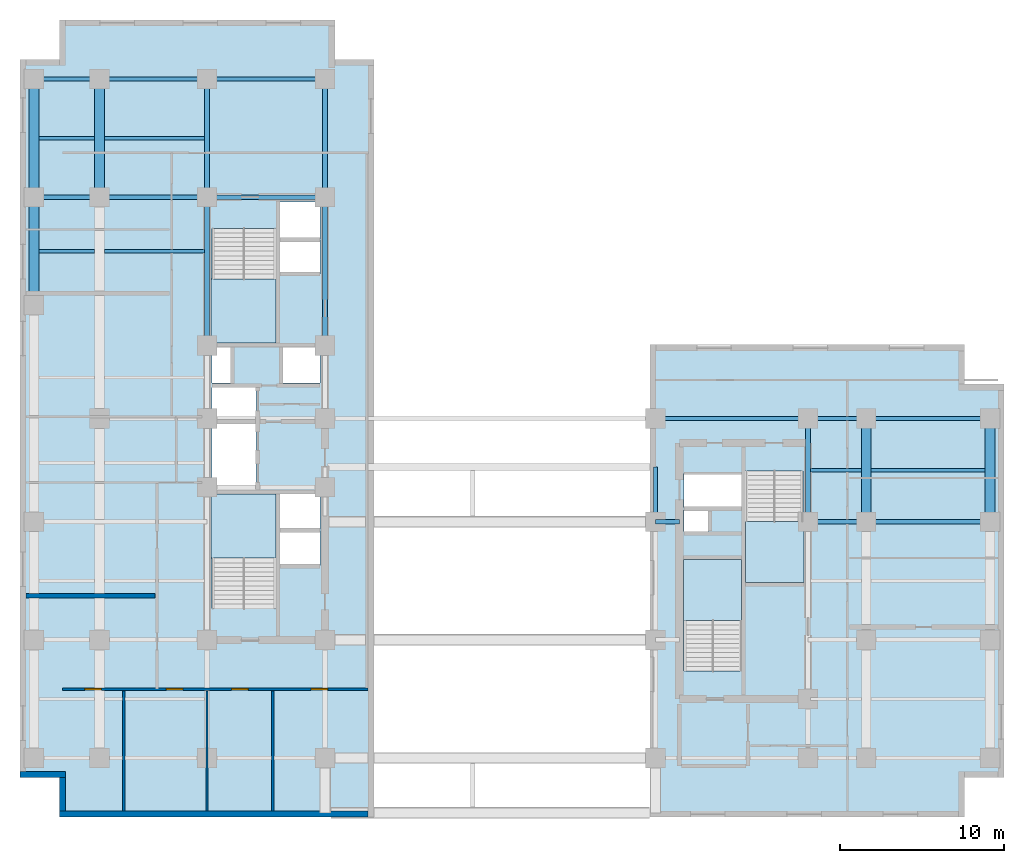
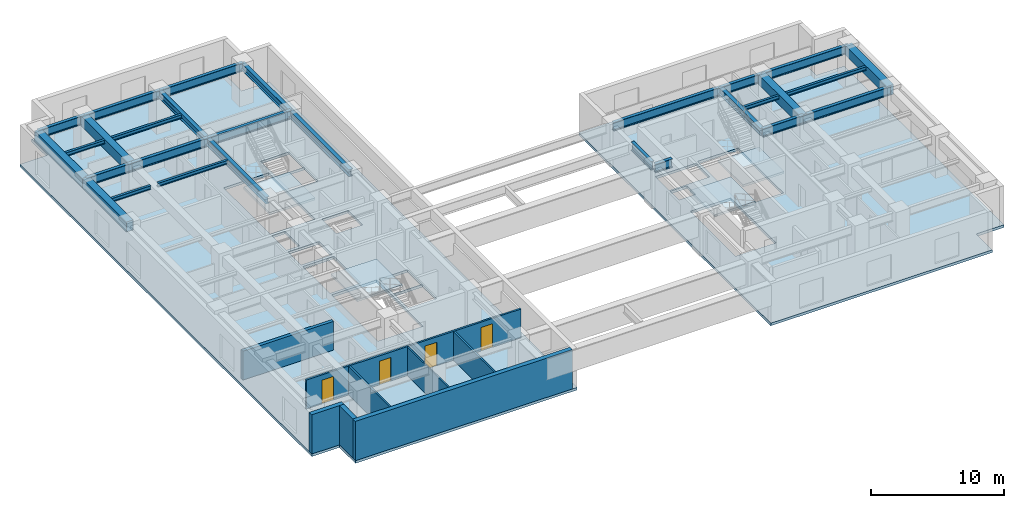
# One storey, part 2 of 9: 29 beams, 8 walls, 6 slabs, 4 doors, 4 openings, 4 elements without a shape of their own.
"""IFC4 building model written with IfcOpenShell, lengths in metres."""

import ifcopenshell
import ifcopenshell.guid

model = None  # the IFC model being written
_history = None  # IfcOwnerHistory: only IFC2X3 demands one
_inside = {}  # id of a spatial element -> (the spatial element, [elements in it])
_under = {}  # id of a project, library or spatial element -> (it, [spatial elements below it])
_declared = {}  # id of a project -> (the project, [libraries it declares])
_typed = {}  # id of a type object -> (the type object, [elements of that type])
_made_of = {}  # id of a material, layer set ... -> (it, [elements and type objects made of it])


def new_model(schema):
    """Start an empty IFC model of exactly this schema.

    Asked for "IFC4X3", IfcOpenShell would pick the latest addendum, in which some entities
    have other attributes; the version numbers below select the first issue.
    IFC2X3 requires an IfcOwnerHistory on every rooted entity: one is made here for all.
    """
    global model, _history
    if schema == "IFC4X3":
        model = ifcopenshell.file(schema_version=(4, 3, 0, 0))
    else:
        model = ifcopenshell.file(schema=schema)
    _inside.clear()
    _under.clear()
    _declared.clear()
    _typed.clear()
    _made_of.clear()
    _history = None
    if model.schema == "IFC2X3":
        org = make("IfcOrganization", Name="unknown")
        user = make(
            "IfcPersonAndOrganization",
            ThePerson=make("IfcPerson", FamilyName="unknown"),
            TheOrganization=org,
        )
        app = make(
            "IfcApplication",
            ApplicationDeveloper=org,
            Version="unknown",
            ApplicationFullName="unknown",
            ApplicationIdentifier="unknown",
        )
        _history = make(
            "IfcOwnerHistory",
            OwningUser=user,
            OwningApplication=app,
            ChangeAction="ADDED",
            CreationDate=0,
        )
    return model


def make(cls, **values):
    """One entity of the class cls with the attributes given. An attribute that is None is left unset."""
    return model.create_entity(
        cls, **{name: value for name, value in values.items() if value is not None}
    )


def entity(cls, *values):
    """Any entity or typed value of the class cls, its attributes in the order of the schema. None: left unset."""
    e = model.create_entity(cls)
    for i, value in enumerate(values):
        if value is not None:
            e[i] = value
    return e


def rooted(cls, **values):
    """An entity with a GlobalId (a new one), such as an element, a storey or a relation."""
    return make(cls, GlobalId=ifcopenshell.guid.new(), OwnerHistory=_history, **values)


def si_unit(unit_type, name, prefix=None):
    """IfcSIUnit, for example si_unit("LENGTHUNIT", "METRE", prefix="MILLI")."""
    return make("IfcSIUnit", UnitType=unit_type, Prefix=prefix, Name=name)


def converted_unit(unit_type, name, factor, base, dimensions=None, offset=None):
    """IfcConversionBasedUnit, such as the inch: factor (a typed value) times the base unit."""
    return make(
        "IfcConversionBasedUnit"
        if offset is None
        else "IfcConversionBasedUnitWithOffset",
        ConversionOffset=offset,
        Dimensions=None
        if dimensions is None
        else entity("IfcDimensionalExponents", *dimensions),
        UnitType=unit_type,
        Name=name,
        ConversionFactor=make(
            "IfcMeasureWithUnit", ValueComponent=factor, UnitComponent=base
        ),
    )


def assignment(units):
    """IfcUnitAssignment: the units of a project."""
    return None if units is None else make("IfcUnitAssignment", Units=units)


def point(xyz):
    """IfcCartesianPoint."""
    return None if xyz is None else make("IfcCartesianPoint", Coordinates=xyz)


def direction(xyz):
    """IfcDirection."""
    return None if xyz is None else make("IfcDirection", DirectionRatios=xyz)


def frame(location, z_axis=None, x_axis=None):
    """IfcAxis2Placement3D, a coordinate frame: its origin and axes. An axis left out is left unset."""
    return make(
        "IfcAxis2Placement3D",
        Location=point(location),
        Axis=direction(z_axis),
        RefDirection=direction(x_axis),
    )


def frame_2d(location, x_axis=None):
    """IfcAxis2Placement2D, a coordinate frame in the plane: its origin and x axis."""
    return make(
        "IfcAxis2Placement2D", Location=point(location), RefDirection=direction(x_axis)
    )


def origin_with_axes():
    """The frame at (0, 0, 0) with the z axis (0, 0, 1) and the x axis (1, 0, 0) written out."""
    return frame((0.0, 0.0, 0.0), z_axis=(0.0, 0.0, 1.0), x_axis=(1.0, 0.0, 0.0))


def origin_2d_with_axis():
    """The frame at (0, 0) in the plane with the x axis (1, 0) written out."""
    return frame_2d((0.0, 0.0), x_axis=(1.0, 0.0))


def place(relative_to, where):
    """IfcLocalPlacement: puts the frame where relative to a parent placement (None: the world)."""
    return make(
        "IfcLocalPlacement", PlacementRelTo=relative_to, RelativePlacement=where
    )


def context(
    kind, dimensions, precision=None, world=None, true_north=None, identifier=None
):
    """IfcGeometricRepresentationContext, for example the 3D "Model" context."""
    return make(
        "IfcGeometricRepresentationContext",
        ContextIdentifier=identifier,
        ContextType=kind,
        CoordinateSpaceDimension=dimensions,
        Precision=precision,
        WorldCoordinateSystem=world,
        TrueNorth=true_north,
    )


def subcontext(parent, identifier, kind, view, scale=None):
    """IfcGeometricRepresentationSubContext, for example "Body" below "Model"."""
    return make(
        "IfcGeometricRepresentationSubContext",
        ContextIdentifier=identifier,
        ContextType=kind,
        ParentContext=parent,
        TargetScale=scale,
        TargetView=view,
    )


def project(units=None, contexts=None):
    """IfcProject with its units and contexts."""
    return rooted(
        "IfcProject",
        Name="project",
        RepresentationContexts=contexts,
        UnitsInContext=assignment(units),
    )


def spatial(cls, under=None, at=None, **own):
    """A site, building, storey or space (cls), placed at a placement, below another one or the project."""
    s = rooted(cls, ObjectPlacement=at, **own)
    if under is not None:
        _under.setdefault(under.id(), (under, []))[1].append(s)
    return s


def polyline(points):
    """IfcPolyline through the points."""
    return make("IfcPolyline", Points=[point(p) for p in points])


def profile(cls, at=None, kind="AREA", **sizes):
    """A parametric profile (cls). Its sizes go by their IFC names, for example OverallWidth=200.0."""
    return make(cls, ProfileType=kind, Position=at, **sizes)


def rectangle(**sizes):
    """IfcRectangleProfileDef."""
    return profile("IfcRectangleProfileDef", **sizes)


def i_section(**sizes):
    """IfcIShapeProfileDef."""
    return profile("IfcIShapeProfileDef", **sizes)


def outline(outer, holes=None, kind="AREA"):
    """IfcArbitraryClosedProfileDef: a profile drawn as a closed curve; with holes, ...WithVoids."""
    if holes is None:
        return make("IfcArbitraryClosedProfileDef", ProfileType=kind, OuterCurve=outer)
    return make(
        "IfcArbitraryProfileDefWithVoids",
        ProfileType=kind,
        OuterCurve=outer,
        InnerCurves=holes,
    )


def extrude(swept, where, along, depth):
    """IfcExtrudedAreaSolid: the profile swept, set in the frame where, extruded along a direction by depth."""
    return make(
        "IfcExtrudedAreaSolid",
        SweptArea=swept,
        Position=where,
        ExtrudedDirection=direction(along),
        Depth=depth,
    )


def shape(context_of_items, identifier, shape_type, items):
    """IfcShapeRepresentation: the items that make up one representation, for example the "Body"."""
    return make(
        "IfcShapeRepresentation",
        ContextOfItems=context_of_items,
        RepresentationIdentifier=identifier,
        RepresentationType=shape_type,
        Items=items,
    )


def material(Name=None, Category=None):
    """IfcMaterial."""
    return make("IfcMaterial", Name=Name, Category=Category)


def layer(
    of_material, thickness, ventilated=None, Name=None, Category=None, Priority=None
):
    """IfcMaterialLayer: one layer of a wall or slab, of a material (None: an air gap)."""
    return make(
        "IfcMaterialLayer",
        Material=of_material,
        LayerThickness=thickness,
        IsVentilated=ventilated,
        Name=Name,
        Category=Category,
        Priority=Priority,
    )


def layer_set(layers, Name=None):
    """IfcMaterialLayerSet."""
    return make("IfcMaterialLayerSet", MaterialLayers=layers, LayerSetName=Name)


def material_profile(
    of_material, cross_section, Name=None, Category=None, Priority=None
):
    """IfcMaterialProfile: a cross section and its material."""
    return make(
        "IfcMaterialProfile",
        Name=Name,
        Material=of_material,
        Profile=cross_section,
        Priority=Priority,
        Category=Category,
    )


def profile_set(profiles, Name=None, composite=None):
    """IfcMaterialProfileSet."""
    return make(
        "IfcMaterialProfileSet",
        Name=Name,
        MaterialProfiles=profiles,
        CompositeProfile=composite,
    )


def made_of(thing, what):
    """Note that an element or type object is made of a material, layer set ...; save() writes the relation."""
    if what is not None:
        _made_of.setdefault(what.id(), (what, []))[1].append(thing)
    return thing


def type_object(cls, material=None, **own):
    """A type object (cls), such as IfcWallType, which elements share."""
    return made_of(rooted(cls, **own), material)


def element(
    cls,
    number,
    at=None,
    inside=None,
    cuts=None,
    type_object=None,
    material=None,
    context=None,
    identifier="Body",
    shape_type=None,
    held_by="IfcProductDefinitionShape",
    body=None,
    shapes=None,
    **own,
):
    """One element of the class cls, such as IfcWall. Its Tag is "e" and its number.

    at: its placement. inside: the storey or other place that contains it. cuts: it is an
    opening in that element (IfcRelVoidsElement). A single representation is given by context,
    identifier, shape_type and body (its items); several are given by shapes. held_by: the class
    of the entity that holds the representations. save() writes the other relations.
    """
    e = rooted(cls, Tag="e%d" % number, ObjectPlacement=at, **own)
    if body is not None:
        shapes = [shape(context, identifier, shape_type, body)]
    if shapes is not None:
        e.Representation = make(held_by, Representations=shapes)
    if inside is not None:
        _inside.setdefault(inside.id(), (inside, []))[1].append(e)
    if cuts is not None:
        rooted(
            "IfcRelVoidsElement", RelatingBuildingElement=cuts, RelatedOpeningElement=e
        )
    if type_object is not None:
        _typed.setdefault(type_object.id(), (type_object, []))[1].append(e)
    return made_of(e, material)


def fill(opening, filler):
    """IfcRelFillsElement: the door or window that sits in an opening."""
    return rooted(
        "IfcRelFillsElement",
        RelatingOpeningElement=opening,
        RelatedBuildingElement=filler,
    )


def aggregate(whole, parts):
    """IfcRelAggregates: a whole, such as a stair, and the parts it consists of."""
    return rooted("IfcRelAggregates", RelatingObject=whole, RelatedObjects=parts)


def save(model, path):
    """Write the relations noted so far, then the file.

    IfcRelAggregates (storeys below a building ...), IfcRelContainedInSpatialStructure (elements
    in a storey), IfcRelDefinesByType, IfcRelAssociatesMaterial and IfcRelDeclares: one each for
    every whole, place, type object, material and project.
    """
    for whole, parts in _under.values():
        aggregate(whole, parts)
    for where, things in _inside.values():
        rooted(
            "IfcRelContainedInSpatialStructure",
            RelatedElements=things,
            RelatingStructure=where,
        )
    for kind, things in _typed.values():
        rooted("IfcRelDefinesByType", RelatedObjects=things, RelatingType=kind)
    for what, things in _made_of.values():
        rooted("IfcRelAssociatesMaterial", RelatedObjects=things, RelatingMaterial=what)
    for by, libraries in _declared.values():
        rooted("IfcRelDeclares", RelatingContext=by, RelatedDefinitions=libraries)
    model.write(path)


model = new_model("IFC4")

# Units and contexts
model_context = context("Model", 3, precision=1e-05, world=origin_with_axes(), true_north=direction((0.0, 1.0)))
body_context = subcontext(model_context, "Body", "Model", "MODEL_VIEW")
ifc_project = project(units=[si_unit("LENGTHUNIT", "METRE"), si_unit("AREAUNIT", "SQUARE_METRE"), si_unit("VOLUMEUNIT", "CUBIC_METRE"), converted_unit("PLANEANGLEUNIT", "DEGREE", entity("IfcPlaneAngleMeasure", 0.017453292519943295), si_unit("PLANEANGLEUNIT", "RADIAN"), dimensions=[0, 0, 0, 0, 0, 0, 0]), si_unit("MASSUNIT", "GRAM", prefix="KILO"), si_unit("THERMODYNAMICTEMPERATUREUNIT", "KELVIN")], contexts=[model_context])

# Site, building, storey
site_placement = place(None, origin_with_axes())
site = spatial("IfcSite", under=ifc_project, at=site_placement, CompositionType="ELEMENT")
building_placement = place(site_placement, origin_with_axes())
building = spatial("IfcBuilding", under=site, at=building_placement, Name="Varnlund Millrace Tower", CompositionType="ELEMENT")
storey_placement = place(building_placement, frame((0.0, 0.0, 120.3), z_axis=(0.0, 0.0, 1.0), x_axis=(1.0, 0.0, 0.0)))
storey = spatial("IfcBuildingStorey", under=building, at=storey_placement, Name="L29", CompositionType="ELEMENT", Elevation=120.3)

# Beams
ifc_material_1 = material(Name="Steel ASTM A992 Grade 50", Category="steel")
ifc_material_profile_1 = material_profile(ifc_material_1, i_section(OverallWidth=0.328, OverallDepth=0.628, WebThickness=0.0165, FlangeThickness=0.0277, FilletRadius=0.018, at=origin_2d_with_axis()), Name="Steel ASTM A992 Grade 50")
ifc_profile_set_1 = profile_set([ifc_material_profile_1], Name="Steel ASTM A992 Grade 50")
beam_type_1 = type_object("IfcBeamType", Name="Type-Girder-W24X146", PredefinedType="USERDEFINED", material=ifc_profile_set_1)
beam_1_placement = place(storey_placement, frame((11.4, 28.75, 3.286), z_axis=(0.0, 1.0, 0.0), x_axis=(-1.0, 0.0, 0.0)))
element("IfcBeam", 1, at=beam_1_placement, inside=storey, type_object=beam_type_1, Name="Type-Girder-W24X146", ObjectType="GIRDER", PredefinedType="USERDEFINED", context=body_context, shape_type="SweptSolid", body=[
    extrude(i_section(OverallWidth=0.328, OverallDepth=0.628, WebThickness=0.0165, FlangeThickness=0.0277, FilletRadius=0.018, at=origin_2d_with_axis()), origin_with_axes(), (0.0, 0.0, 1.0), 9.05),
])
beam_2_placement = place(storey_placement, frame((11.4, 37.8, 3.286), z_axis=(0.0, 1.0, 0.0), x_axis=(-1.0, 0.0, 0.0)))
element("IfcBeam", 2, at=beam_2_placement, inside=storey, type_object=beam_type_1, Name="Type-Girder-W24X146", ObjectType="GIRDER", PredefinedType="USERDEFINED", context=body_context, shape_type="SweptSolid", body=[
    extrude(i_section(OverallWidth=0.328, OverallDepth=0.628, WebThickness=0.0165, FlangeThickness=0.0277, FilletRadius=0.018, at=origin_2d_with_axis()), origin_with_axes(), (0.0, 0.0, 1.0), 7.2),
])
beam_3_placement = place(storey_placement, frame((18.6, 28.75, 3.286), z_axis=(0.0, 1.0, 0.0), x_axis=(-1.0, 0.0, 0.0)))
element("IfcBeam", 3, at=beam_3_placement, inside=storey, type_object=beam_type_1, Name="Type-Girder-W24X146", ObjectType="GIRDER", PredefinedType="USERDEFINED", context=body_context, shape_type="SweptSolid", body=[
    extrude(i_section(OverallWidth=0.328, OverallDepth=0.628, WebThickness=0.0165, FlangeThickness=0.0277, FilletRadius=0.018, at=origin_2d_with_axis()), origin_with_axes(), (0.0, 0.0, 1.0), 9.05),
])
beam_4_placement = place(storey_placement, frame((18.6, 37.8, 3.286), z_axis=(0.0, 1.0, 0.0), x_axis=(-1.0, 0.0, 0.0)))
element("IfcBeam", 4, at=beam_4_placement, inside=storey, type_object=beam_type_1, Name="Type-Girder-W24X146", ObjectType="GIRDER", PredefinedType="USERDEFINED", context=body_context, shape_type="SweptSolid", body=[
    extrude(i_section(OverallWidth=0.328, OverallDepth=0.628, WebThickness=0.0165, FlangeThickness=0.0277, FilletRadius=0.018, at=origin_2d_with_axis()), origin_with_axes(), (0.0, 0.0, 1.0), 7.2),
])
beam_5_placement = place(storey_placement, frame((48.05, 18.0, 3.286), z_axis=(0.0, 1.0, 0.0), x_axis=(-1.0, 0.0, 0.0)))
element("IfcBeam", 5, at=beam_5_placement, inside=storey, type_object=beam_type_1, Name="Type-Girder-W24X146", ObjectType="GIRDER", PredefinedType="USERDEFINED", context=body_context, shape_type="SweptSolid", body=[
    extrude(i_section(OverallWidth=0.328, OverallDepth=0.628, WebThickness=0.0165, FlangeThickness=0.0277, FilletRadius=0.018, at=origin_2d_with_axis()), origin_with_axes(), (0.0, 0.0, 1.0), 6.3),
])
ifc_material_profile_2 = material_profile(ifc_material_1, i_section(OverallWidth=0.266, OverallDepth=0.779, WebThickness=0.0165, FlangeThickness=0.03, FilletRadius=0.02, at=origin_2d_with_axis()), Name="Steel ASTM A992 Grade 50")
ifc_profile_set_2 = profile_set([ifc_material_profile_2], Name="Steel ASTM A992 Grade 50")
beam_type_2 = type_object("IfcBeamType", Name="Type-Girder-W30X148", PredefinedType="USERDEFINED", material=ifc_profile_set_2)
beam_6_placement = place(storey_placement, frame((38.75, 18.35, 3.2105), z_axis=(0.0, 1.0, 0.0), x_axis=(-1.0, 0.0, 0.0)))
element("IfcBeam", 6, at=beam_6_placement, inside=storey, type_object=beam_type_2, Name="Type-Girder-W30X148", ObjectType="GIRDER", PredefinedType="USERDEFINED", context=body_context, shape_type="SweptSolid", body=[
    extrude(i_section(OverallWidth=0.266, OverallDepth=0.779, WebThickness=0.0165, FlangeThickness=0.03, FilletRadius=0.02, at=origin_2d_with_axis()), origin_with_axes(), (0.0, 0.0, 1.0), 3.0),
])
beam_7_placement = place(storey_placement, frame((38.75, 18.0, 3.2105), z_axis=(1.0, 0.0, 0.0), x_axis=(0.0, 1.0, 0.0)))
element("IfcBeam", 7, at=beam_7_placement, inside=storey, type_object=beam_type_2, Name="Type-Girder-W30X148", ObjectType="GIRDER", PredefinedType="USERDEFINED", context=body_context, shape_type="SweptSolid", body=[
    extrude(i_section(OverallWidth=0.266, OverallDepth=0.779, WebThickness=0.0165, FlangeThickness=0.03, FilletRadius=0.02, at=origin_2d_with_axis()), origin_with_axes(), (0.0, 0.0, 1.0), 1.45),
])
beam_8_placement = place(storey_placement, frame((48.05, 18.0, 3.2105), z_axis=(1.0, 0.0, 0.0), x_axis=(0.0, 1.0, 0.0)))
element("IfcBeam", 8, at=beam_8_placement, inside=storey, type_object=beam_type_2, Name="Type-Girder-W30X148", ObjectType="GIRDER", PredefinedType="USERDEFINED", context=body_context, shape_type="SweptSolid", body=[
    extrude(i_section(OverallWidth=0.266, OverallDepth=0.779, WebThickness=0.0165, FlangeThickness=0.03, FilletRadius=0.02, at=origin_2d_with_axis()), origin_with_axes(), (0.0, 0.0, 1.0), 3.55),
])
beam_9_placement = place(storey_placement, frame((51.6, 18.0, 3.2105), z_axis=(1.0, 0.0, 0.0), x_axis=(0.0, 1.0, 0.0)))
element("IfcBeam", 9, at=beam_9_placement, inside=storey, type_object=beam_type_2, Name="Type-Girder-W30X148", ObjectType="GIRDER", PredefinedType="USERDEFINED", context=body_context, shape_type="SweptSolid", body=[
    extrude(i_section(OverallWidth=0.266, OverallDepth=0.779, WebThickness=0.0165, FlangeThickness=0.03, FilletRadius=0.02, at=origin_2d_with_axis()), origin_with_axes(), (0.0, 0.0, 1.0), 7.55),
])
beam_10_placement = place(storey_placement, frame((38.75, 24.3, 3.2105), z_axis=(1.0, 0.0, 0.0), x_axis=(0.0, 1.0, 0.0)))
element("IfcBeam", 10, at=beam_10_placement, inside=storey, type_object=beam_type_2, Name="Type-Girder-W30X148", ObjectType="GIRDER", PredefinedType="USERDEFINED", context=body_context, shape_type="SweptSolid", body=[
    extrude(i_section(OverallWidth=0.266, OverallDepth=0.779, WebThickness=0.0165, FlangeThickness=0.03, FilletRadius=0.02, at=origin_2d_with_axis()), origin_with_axes(), (0.0, 0.0, 1.0), 9.3),
])
beam_11_placement = place(storey_placement, frame((48.05, 24.3, 3.2105), z_axis=(1.0, 0.0, 0.0), x_axis=(0.0, 1.0, 0.0)))
element("IfcBeam", 11, at=beam_11_placement, inside=storey, type_object=beam_type_2, Name="Type-Girder-W30X148", ObjectType="GIRDER", PredefinedType="USERDEFINED", context=body_context, shape_type="SweptSolid", body=[
    extrude(i_section(OverallWidth=0.266, OverallDepth=0.779, WebThickness=0.0165, FlangeThickness=0.03, FilletRadius=0.02, at=origin_2d_with_axis()), origin_with_axes(), (0.0, 0.0, 1.0), 3.55),
])
beam_12_placement = place(storey_placement, frame((51.6, 24.3, 3.2105), z_axis=(1.0, 0.0, 0.0), x_axis=(0.0, 1.0, 0.0)))
element("IfcBeam", 12, at=beam_12_placement, inside=storey, type_object=beam_type_2, Name="Type-Girder-W30X148", ObjectType="GIRDER", PredefinedType="USERDEFINED", context=body_context, shape_type="SweptSolid", body=[
    extrude(i_section(OverallWidth=0.266, OverallDepth=0.779, WebThickness=0.0165, FlangeThickness=0.03, FilletRadius=0.02, at=origin_2d_with_axis()), origin_with_axes(), (0.0, 0.0, 1.0), 7.55),
])
beam_13_placement = place(storey_placement, frame((0.85, 37.8, 3.2105), z_axis=(1.0, 0.0, 0.0), x_axis=(0.0, 1.0, 0.0)))
element("IfcBeam", 13, at=beam_13_placement, inside=storey, type_object=beam_type_2, Name="Type-Girder-W30X148", ObjectType="GIRDER", PredefinedType="USERDEFINED", context=body_context, shape_type="SweptSolid", body=[
    extrude(i_section(OverallWidth=0.266, OverallDepth=0.779, WebThickness=0.0165, FlangeThickness=0.03, FilletRadius=0.02, at=origin_2d_with_axis()), origin_with_axes(), (0.0, 0.0, 1.0), 4.0),
])
beam_14_placement = place(storey_placement, frame((4.85, 37.8, 3.2105), z_axis=(1.0, 0.0, 0.0), x_axis=(0.0, 1.0, 0.0)))
element("IfcBeam", 14, at=beam_14_placement, inside=storey, type_object=beam_type_2, Name="Type-Girder-W30X148", ObjectType="GIRDER", PredefinedType="USERDEFINED", context=body_context, shape_type="SweptSolid", body=[
    extrude(i_section(OverallWidth=0.266, OverallDepth=0.779, WebThickness=0.0165, FlangeThickness=0.03, FilletRadius=0.02, at=origin_2d_with_axis()), origin_with_axes(), (0.0, 0.0, 1.0), 6.55),
])
beam_15_placement = place(storey_placement, frame((11.4, 37.8, 3.2105), z_axis=(1.0, 0.0, 0.0), x_axis=(0.0, 1.0, 0.0)))
element("IfcBeam", 15, at=beam_15_placement, inside=storey, type_object=beam_type_2, Name="Type-Girder-W30X148", ObjectType="GIRDER", PredefinedType="USERDEFINED", context=body_context, shape_type="SweptSolid", body=[
    extrude(i_section(OverallWidth=0.266, OverallDepth=0.779, WebThickness=0.0165, FlangeThickness=0.03, FilletRadius=0.02, at=origin_2d_with_axis()), origin_with_axes(), (0.0, 0.0, 1.0), 7.2),
])
beam_16_placement = place(storey_placement, frame((0.85, 45.0, 3.2105), z_axis=(1.0, 0.0, 0.0), x_axis=(0.0, 1.0, 0.0)))
element("IfcBeam", 16, at=beam_16_placement, inside=storey, type_object=beam_type_2, Name="Type-Girder-W30X148", ObjectType="GIRDER", PredefinedType="USERDEFINED", context=body_context, shape_type="SweptSolid", body=[
    extrude(i_section(OverallWidth=0.266, OverallDepth=0.779, WebThickness=0.0165, FlangeThickness=0.03, FilletRadius=0.02, at=origin_2d_with_axis()), origin_with_axes(), (0.0, 0.0, 1.0), 4.0),
])
beam_17_placement = place(storey_placement, frame((4.85, 45.0, 3.2105), z_axis=(1.0, 0.0, 0.0), x_axis=(0.0, 1.0, 0.0)))
element("IfcBeam", 17, at=beam_17_placement, inside=storey, type_object=beam_type_2, Name="Type-Girder-W30X148", ObjectType="GIRDER", PredefinedType="USERDEFINED", context=body_context, shape_type="SweptSolid", body=[
    extrude(i_section(OverallWidth=0.266, OverallDepth=0.779, WebThickness=0.0165, FlangeThickness=0.03, FilletRadius=0.02, at=origin_2d_with_axis()), origin_with_axes(), (0.0, 0.0, 1.0), 6.55),
])
beam_18_placement = place(storey_placement, frame((11.4, 45.0, 3.2105), z_axis=(1.0, 0.0, 0.0), x_axis=(0.0, 1.0, 0.0)))
element("IfcBeam", 18, at=beam_18_placement, inside=storey, type_object=beam_type_2, Name="Type-Girder-W30X148", ObjectType="GIRDER", PredefinedType="USERDEFINED", context=body_context, shape_type="SweptSolid", body=[
    extrude(i_section(OverallWidth=0.266, OverallDepth=0.779, WebThickness=0.0165, FlangeThickness=0.03, FilletRadius=0.02, at=origin_2d_with_axis()), origin_with_axes(), (0.0, 0.0, 1.0), 7.2),
])
ifc_material_profile_3 = material_profile(ifc_material_1, i_section(OverallWidth=0.204, OverallDepth=0.35, WebThickness=0.0086, FlangeThickness=0.0151, FilletRadius=0.013, at=origin_2d_with_axis()), Name="Steel ASTM A992 Grade 50")
ifc_profile_set_3 = profile_set([ifc_material_profile_3], Name="Steel ASTM A992 Grade 50")
beam_type_3 = type_object("IfcBeamType", Name="Type-Joist-W14X48", PredefinedType="JOIST", material=ifc_profile_set_3)
for number, where, z_axis, x_axis, name in (
    (19, (1.15, 34.5, 3.425), (1.0, 0.0, 0.0), (0.0, 1.0, 0.0), "Type-Joist-W14X48"),
    (20, (1.15, 41.4, 3.425), (1.0, 0.0, 0.0), (0.0, 1.0, 0.0), "Type-Joist-W14X48"),
):
    element("IfcBeam", number, at=place(storey_placement, frame(where, z_axis=z_axis, x_axis=x_axis)), inside=storey, type_object=beam_type_3, Name=name, PredefinedType="JOIST", context=body_context, shape_type="SweptSolid", body=[
        extrude(i_section(OverallWidth=0.204, OverallDepth=0.35, WebThickness=0.0086, FlangeThickness=0.0151, FilletRadius=0.013, at=origin_2d_with_axis()), origin_with_axes(), (0.0, 0.0, 1.0), 3.4),
    ])
for number, where, z_axis, x_axis, name in (
    (21, (5.15, 34.5, 3.425), (1.0, 0.0, 0.0), (0.0, 1.0, 0.0), "Type-Joist-W14X48"),
    (22, (5.15, 41.4, 3.425), (1.0, 0.0, 0.0), (0.0, 1.0, 0.0), "Type-Joist-W14X48"),
):
    element("IfcBeam", number, at=place(storey_placement, frame(where, z_axis=z_axis, x_axis=x_axis)), inside=storey, type_object=beam_type_3, Name=name, PredefinedType="JOIST", context=body_context, shape_type="SweptSolid", body=[
        extrude(i_section(OverallWidth=0.204, OverallDepth=0.35, WebThickness=0.0086, FlangeThickness=0.0151, FilletRadius=0.013, at=origin_2d_with_axis()), origin_with_axes(), (0.0, 0.0, 1.0), 6.086),
    ])
beam_19_placement = place(storey_placement, frame((48.214, 21.15, 3.425), z_axis=(1.0, 0.0, 0.0), x_axis=(0.0, 1.0, 0.0)))
element("IfcBeam", 23, at=beam_19_placement, inside=storey, type_object=beam_type_3, Name="Type-Joist-W14X48", PredefinedType="JOIST", context=body_context, shape_type="SweptSolid", body=[
    extrude(i_section(OverallWidth=0.204, OverallDepth=0.35, WebThickness=0.0086, FlangeThickness=0.0151, FilletRadius=0.013, at=origin_2d_with_axis()), origin_with_axes(), (0.0, 0.0, 1.0), 3.086),
])
beam_20_placement = place(storey_placement, frame((51.9, 21.15, 3.425), z_axis=(1.0, 0.0, 0.0), x_axis=(0.0, 1.0, 0.0)))
element("IfcBeam", 24, at=beam_20_placement, inside=storey, type_object=beam_type_3, Name="Type-Joist-W14X48", PredefinedType="JOIST", context=body_context, shape_type="SweptSolid", body=[
    extrude(i_section(OverallWidth=0.204, OverallDepth=0.35, WebThickness=0.0086, FlangeThickness=0.0151, FilletRadius=0.013, at=origin_2d_with_axis()), origin_with_axes(), (0.0, 0.0, 1.0), 6.95),
])
ifc_material_2 = material(Name="Concrete C70/85", Category="concrete")
ifc_material_profile_4 = material_profile(ifc_material_2, rectangle(XDim=0.6, YDim=0.9, at=origin_2d_with_axis()), Name="Concrete C70/85")
ifc_profile_set_4 = profile_set([ifc_material_profile_4], Name="Concrete C70/85")
beam_type_4 = type_object("IfcBeamType", Name="Type-Spandrel-RC600X900", PredefinedType="SPANDREL", material=ifc_profile_set_4)
beam_21_placement = place(storey_placement, frame((0.85, 31.2, 3.15), z_axis=(0.0, 1.0, 0.0), x_axis=(-1.0, 0.0, 0.0)))
element("IfcBeam", 25, at=beam_21_placement, inside=storey, type_object=beam_type_4, Name="Type-Spandrel-RC600X900", PredefinedType="SPANDREL", context=body_context, shape_type="SweptSolid", body=[
    extrude(rectangle(XDim=0.6, YDim=0.9, at=origin_2d_with_axis()), origin_with_axes(), (0.0, 0.0, 1.0), 6.6),
])
for number, where, z_axis, x_axis, name in (
    (26, (0.85, 37.8, 3.15), (0.0, 1.0, 0.0), (-1.0, 0.0, 0.0), "Type-Spandrel-RC600X900"),
    (27, (4.85, 37.8, 3.15), (0.0, 1.0, 0.0), (-1.0, 0.0, 0.0), "Type-Spandrel-RC600X900"),
):
    element("IfcBeam", number, at=place(storey_placement, frame(where, z_axis=z_axis, x_axis=x_axis)), inside=storey, type_object=beam_type_4, Name=name, PredefinedType="SPANDREL", context=body_context, shape_type="SweptSolid", body=[
        extrude(rectangle(XDim=0.6, YDim=0.9, at=origin_2d_with_axis()), origin_with_axes(), (0.0, 0.0, 1.0), 7.2),
    ])
for number, where, z_axis, x_axis, name in (
    (28, (51.6, 18.0, 3.15), (0.0, 1.0, 0.0), (-1.0, 0.0, 0.0), "Type-Spandrel-RC600X900"),
    (29, (59.15, 18.0, 3.15), (0.0, 1.0, 0.0), (-1.0, 0.0, 0.0), "Type-Spandrel-RC600X900"),
):
    element("IfcBeam", number, at=place(storey_placement, frame(where, z_axis=z_axis, x_axis=x_axis)), inside=storey, type_object=beam_type_4, Name=name, PredefinedType="SPANDREL", context=body_context, shape_type="SweptSolid", body=[
        extrude(rectangle(XDim=0.6, YDim=0.9, at=origin_2d_with_axis()), origin_with_axes(), (0.0, 0.0, 1.0), 6.3),
    ])

# Slabs
ifc_material_3 = material(Name="Concrete C60/75", Category="concrete")
ifc_layer_1 = layer(ifc_material_3, 0.24, Name="Concrete C60/75")
ifc_layer_set_1 = layer_set([ifc_layer_1], Name="Concrete C60/75")
slab_type_1 = type_object("IfcSlabType", Name="Type-Deck-Plate-Typical-240", PredefinedType="FLOOR", material=ifc_layer_set_1)
slab_1_placement = place(storey_placement, frame((0.0, 0.0, -0.24), z_axis=(0.0, 0.0, 1.0), x_axis=(1.0, 0.0, 0.0)))
element("IfcSlab", 30, at=slab_1_placement, inside=storey, type_object=slab_type_1, Name="Type-Deck-Plate-Typical-240", PredefinedType="FLOOR", context=body_context, shape_type="SweptSolid", body=[
    extrude(outline(polyline([(2.4, 2.4), (2.4, 0.0), (21.6, 0.0), (21.6, 46.2), (19.2, 46.2), (19.2, 48.6), (2.4, 48.6), (2.4, 46.2), (0.0, 46.2), (0.0, 2.4), (2.4, 2.4)]), holes=[polyline([(15.6, 19.7), (15.6, 12.715), (11.7, 12.715), (11.7, 19.7), (15.6, 19.7)]), polyline([(11.7, 23.98), (14.38, 23.98), (14.38, 19.94), (11.7, 19.94), (11.7, 23.98)]), polyline([(14.38, 24.24), (11.7, 24.24), (11.7, 26.2), (14.38, 26.2), (14.38, 24.24)]), polyline([(12.84, 26.46), (11.7, 26.46), (11.7, 28.65), (12.84, 28.65), (12.84, 26.46)]), polyline([(15.6, 35.885), (15.6, 28.9), (11.7, 28.9), (11.7, 35.885), (15.6, 35.885)]), polyline([(18.3, 15.34), (15.84, 15.34), (15.84, 17.46), (18.3, 17.46), (18.3, 15.34)]), polyline([(18.3, 17.52), (15.84, 17.52), (15.84, 19.7), (18.3, 19.7), (18.3, 17.52)]), polyline([(18.3, 28.65), (18.3, 26.46), (16.04, 26.46), (16.04, 28.65), (18.3, 28.65)]), polyline([(18.3, 33.12), (15.84, 33.12), (15.84, 35.18), (18.3, 35.18), (18.3, 33.12)]), polyline([(18.3, 35.22), (15.84, 35.22), (15.84, 37.5), (18.3, 37.5), (18.3, 35.22)])]), origin_with_axes(), (0.0, 0.0, 1.0), 0.24),
])
slab_2_placement = place(storey_placement, frame((0.0, 0.0, -0.24), z_axis=(0.0, 0.0, 1.0), x_axis=(1.0, 0.0, 0.0)))
element("IfcSlab", 31, at=slab_2_placement, inside=storey, type_object=slab_type_1, Name="Type-Deck-Plate-Typical-240", PredefinedType="FLOOR", context=body_context, shape_type="SweptSolid", body=[
    extrude(outline(polyline([(38.4, 0.0), (57.6, 0.0), (57.6, 2.4), (60.0, 2.4), (60.0, 26.4), (57.6, 26.4), (57.6, 28.8), (38.4, 28.8), (38.4, 0.0)]), holes=[polyline([(40.5, 15.7), (44.0, 15.7), (44.0, 8.915), (40.5, 8.915), (40.5, 15.7)]), polyline([(44.25, 21.085), (47.75, 21.085), (47.75, 14.3), (44.25, 14.3), (44.25, 21.085)]), polyline([(40.5, 18.72), (41.95, 18.72), (41.95, 17.42), (40.5, 17.42), (40.5, 18.72)]), polyline([(40.5, 20.94), (44.0, 20.94), (44.0, 18.88), (40.5, 18.88), (40.5, 20.94)])]), origin_with_axes(), (0.0, 0.0, 1.0), 0.24),
])

# Stair, slab
ifc_material_4 = material(Name="Concrete C50/60", Category="concrete")
stair_type_1 = type_object("IfcStairType", Name="Type-Stair-Dogleg-185-390", PredefinedType="HALF_TURN_STAIR", material=ifc_material_4)
stair_1_placement = place(storey_placement, origin_with_axes())
stair_1 = element("IfcStair", 32, at=stair_1_placement, inside=storey, type_object=stair_type_1, Name="Type-Stair-Dogleg-185-390", PredefinedType="HALF_TURN_STAIR")
ifc_layer_2 = layer(ifc_material_4, 0.2, Name="Concrete C50/60")
ifc_layer_set_2 = layer_set([ifc_layer_2], Name="Concrete C50/60")
slab_type_2 = type_object("IfcSlabType", Name="Type-StairLanding-200", PredefinedType="LANDING", material=ifc_layer_set_2)
slab_3_placement = place(storey_placement, frame((0.0, 0.0, 1.75), z_axis=(0.0, 0.0, 1.0), x_axis=(1.0, 0.0, 0.0)))
slab_3 = element("IfcSlab", 33, at=slab_3_placement, type_object=slab_type_2, Name="ST-A1 landing 1", PredefinedType="LANDING", context=body_context, shape_type="SweptSolid", body=[
    extrude(outline(polyline([(15.6, 15.78), (15.6, 19.7), (11.65, 19.7), (11.65, 15.78), (15.6, 15.78)])), origin_with_axes(), (0.0, 0.0, 1.0), 0.2),
])
aggregate(stair_1, [slab_3])

stair_2_placement = place(storey_placement, origin_with_axes())
stair_2 = element("IfcStair", 34, at=stair_2_placement, inside=storey, type_object=stair_type_1, Name="Type-Stair-Dogleg-185-390", PredefinedType="HALF_TURN_STAIR")
slab_4_placement = place(storey_placement, frame((0.0, 0.0, 1.75), z_axis=(0.0, 0.0, 1.0), x_axis=(1.0, 0.0, 0.0)))
slab_4 = element("IfcSlab", 35, at=slab_4_placement, type_object=slab_type_2, Name="ST-A2 landing 1", PredefinedType="LANDING", context=body_context, shape_type="SweptSolid", body=[
    extrude(outline(polyline([(11.65, 32.82), (11.65, 28.9), (15.6, 28.9), (15.6, 32.82), (11.65, 32.82)])), origin_with_axes(), (0.0, 0.0, 1.0), 0.2),
])
aggregate(stair_2, [slab_4])

stair_type_2 = type_object("IfcStairType", Name="Type-Stair-Dogleg-165-390", PredefinedType="HALF_TURN_STAIR", material=ifc_material_4)
stair_3_placement = place(storey_placement, origin_with_axes())
stair_3 = element("IfcStair", 36, at=stair_3_placement, inside=storey, type_object=stair_type_2, Name="Type-Stair-Dogleg-165-390", PredefinedType="HALF_TURN_STAIR")
slab_5_placement = place(storey_placement, frame((0.0, 0.0, 1.75), z_axis=(0.0, 0.0, 1.0), x_axis=(1.0, 0.0, 0.0)))
slab_5 = element("IfcSlab", 37, at=slab_5_placement, type_object=slab_type_2, Name="ST-B1 landing 1", PredefinedType="LANDING", context=body_context, shape_type="SweptSolid", body=[
    extrude(outline(polyline([(44.0, 11.98), (44.0, 15.7), (40.45, 15.7), (40.45, 11.98), (44.0, 11.98)])), origin_with_axes(), (0.0, 0.0, 1.0), 0.2),
])
aggregate(stair_3, [slab_5])

stair_4_placement = place(storey_placement, origin_with_axes())
stair_4 = element("IfcStair", 38, at=stair_4_placement, inside=storey, type_object=stair_type_2, Name="Type-Stair-Dogleg-165-390", PredefinedType="HALF_TURN_STAIR")
slab_6_placement = place(storey_placement, frame((0.0, 0.0, 1.75), z_axis=(0.0, 0.0, 1.0), x_axis=(1.0, 0.0, 0.0)))
slab_6 = element("IfcSlab", 39, at=slab_6_placement, type_object=slab_type_2, Name="ST-B2 landing 1", PredefinedType="LANDING", context=body_context, shape_type="SweptSolid", body=[
    extrude(outline(polyline([(44.25, 18.02), (44.25, 14.3), (47.8, 14.3), (47.8, 18.02), (44.25, 18.02)])), origin_with_axes(), (0.0, 0.0, 1.0), 0.2),
])
aggregate(stair_4, [slab_6])

# Walls
ifc_material_5 = material(Name="Precast concrete C50/60", Category="concrete")
ifc_layer_3 = layer(ifc_material_5, 0.38, Name="Precast concrete C50/60")
ifc_layer_set_3 = layer_set([ifc_layer_3], Name="Precast concrete C50/60")
wall_type_1 = type_object("IfcWallType", Name="Type-ExtWall-Precast-Tube-380", PredefinedType="SOLIDWALL", material=ifc_layer_set_3)
wall_1_placement = place(storey_placement, frame((21.22, 0.19, 0.0), z_axis=(0.0, 0.0, 1.0), x_axis=(-1.0, 0.0, 0.0)))
element("IfcWall", 40, at=wall_1_placement, inside=storey, type_object=wall_type_1, Name="Type-ExtWall-Precast-Tube-380", PredefinedType="SOLIDWALL", context=body_context, shape_type="SweptSolid", body=[
    extrude(outline(polyline([(0.0, -0.19), (18.82, -0.19), (18.82, 0.19), (0.0, 0.19), (0.0, -0.19)])), origin_with_axes(), (0.0, 0.0, 1.0), 3.6),
])
wall_2_placement = place(storey_placement, frame((2.59, 0.38, 0.0), z_axis=(0.0, 0.0, 1.0), x_axis=(0.0, 1.0, 0.0)))
element("IfcWall", 41, at=wall_2_placement, inside=storey, type_object=wall_type_1, Name="Type-ExtWall-Precast-Tube-380", PredefinedType="SOLIDWALL", context=body_context, shape_type="SweptSolid", body=[
    extrude(outline(polyline([(0.0, -0.19), (2.02, -0.19), (2.02, 0.19), (0.0, 0.19), (0.0, -0.19)])), origin_with_axes(), (0.0, 0.0, 1.0), 3.6),
])
wall_3_placement = place(storey_placement, frame((2.78, 2.59, 0.0), z_axis=(0.0, 0.0, 1.0), x_axis=(-1.0, 0.0, 0.0)))
element("IfcWall", 42, at=wall_3_placement, inside=storey, type_object=wall_type_1, Name="Type-ExtWall-Precast-Tube-380", PredefinedType="SOLIDWALL", context=body_context, shape_type="SweptSolid", body=[
    extrude(outline(polyline([(0.0, -0.19), (2.78, -0.19), (2.78, 0.19), (0.0, 0.19), (0.0, -0.19)])), origin_with_axes(), (0.0, 0.0, 1.0), 3.6),
])
ifc_material_6 = material(Name="Double-stud STC-60 conference acoustic partition", Category="gypsum")
ifc_layer_4 = layer(ifc_material_6, 0.28, Name="Double-stud STC-60 conference acoustic partition")
ifc_layer_set_4 = layer_set([ifc_layer_4], Name="Double-stud STC-60 conference acoustic partition")
wall_type_2 = type_object("IfcWallType", Name="Type-Partition-Acoustic-280", PredefinedType="PARTITIONING", material=ifc_layer_set_4)
wall_4_placement = place(storey_placement, frame((0.375, 13.499, 0.0), z_axis=(0.0, 0.0, 1.0), x_axis=(1.0, 0.0, 0.0)))
element("IfcWall", 43, at=wall_4_placement, inside=storey, type_object=wall_type_2, Name="Type-Partition-Acoustic-280", PredefinedType="PARTITIONING", context=body_context, shape_type="SweptSolid", body=[
    extrude(outline(polyline([(0.0, -0.14), (7.855, -0.14), (7.855, 0.14), (0.0, 0.14), (0.0, -0.14)])), origin_with_axes(), (0.0, 0.0, 1.0), 2.64),
])

# Wall, openings, doors
ifc_material_7 = material(Name="Fire-rated gypsum board on cold-formed steel framing", Category="steel")
ifc_layer_5 = layer(ifc_material_7, 0.16, Name="Fire-rated gypsum board on cold-formed steel framing")
ifc_layer_set_5 = layer_set([ifc_layer_5], Name="Fire-rated gypsum board on cold-formed steel framing")
wall_type_3 = type_object("IfcWallType", Name="Type-Partition-Corridor-160", PredefinedType="PARTITIONING", material=ifc_layer_set_5)
wall_5_placement = place(storey_placement, frame((2.6, 7.8, 0.0), z_axis=(0.0, 0.0, 1.0), x_axis=(1.0, 0.0, 0.0)))
wall_5 = element("IfcWall", 44, at=wall_5_placement, inside=storey, type_object=wall_type_3, Name="Type-Partition-Corridor-160", PredefinedType="PARTITIONING", context=body_context, shape_type="SweptSolid", body=[
    extrude(outline(polyline([(0.0, -0.08), (18.625, -0.08), (18.625, 0.08), (0.0, 0.08), (0.0, -0.08)])), origin_with_axes(), (0.0, 0.0, 1.0), 2.64),
])
opening_1_placement = place(wall_5_placement, frame((1.86, 0.0, 0.0), z_axis=(0.0, 0.0, 1.0), x_axis=(1.0, 0.0, 0.0)))
opening_1 = element("IfcOpeningElement", 45, at=opening_1_placement, cuts=wall_5, Name="Opening L29:DR-WAS-01", PredefinedType="OPENING", context=body_context, shape_type="SweptSolid", body=[
    extrude(rectangle(XDim=1.0, YDim=0.18, at=origin_2d_with_axis()), origin_with_axes(), (0.0, 0.0, 1.0), 2.15),
])
opening_2_placement = place(wall_5_placement, frame((6.825, 0.0, 0.0), z_axis=(0.0, 0.0, 1.0), x_axis=(1.0, 0.0, 0.0)))
opening_2 = element("IfcOpeningElement", 46, at=opening_2_placement, cuts=wall_5, Name="Opening L29:DR-WAS-02", PredefinedType="OPENING", context=body_context, shape_type="SweptSolid", body=[
    extrude(rectangle(XDim=1.0, YDim=0.18, at=origin_2d_with_axis()), origin_with_axes(), (0.0, 0.0, 1.0), 2.15),
])
opening_3_placement = place(wall_5_placement, frame((10.8055, 0.0, 0.0), z_axis=(0.0, 0.0, 1.0), x_axis=(1.0, 0.0, 0.0)))
opening_3 = element("IfcOpeningElement", 47, at=opening_3_placement, cuts=wall_5, Name="Opening L29:DR-WAS-03", PredefinedType="OPENING", context=body_context, shape_type="SweptSolid", body=[
    extrude(rectangle(XDim=1.0, YDim=0.18, at=origin_2d_with_axis()), origin_with_axes(), (0.0, 0.0, 1.0), 2.15),
])
opening_4_placement = place(wall_5_placement, frame((15.6555, 0.0, 0.0), z_axis=(0.0, 0.0, 1.0), x_axis=(1.0, 0.0, 0.0)))
opening_4 = element("IfcOpeningElement", 48, at=opening_4_placement, cuts=wall_5, Name="Opening L29:DR-WAS-04", PredefinedType="OPENING", context=body_context, shape_type="SweptSolid", body=[
    extrude(rectangle(XDim=1.0, YDim=0.18, at=origin_2d_with_axis()), origin_with_axes(), (0.0, 0.0, 1.0), 2.15),
])
ifc_material_8 = material(Name="Solid-core white oak and bronze frame door")
door_type = type_object("IfcDoorType", Name="Type-IntDoor-Office-1000X2150", OperationType="NOTDEFINED", PredefinedType="DOOR", material=ifc_material_8)
door_1_placement = place(wall_5_placement, frame((1.86, 0.0, 0.0), z_axis=(0.0, 0.0, 1.0), x_axis=(1.0, 0.0, 0.0)))
door_1 = element("IfcDoor", 49, at=door_1_placement, inside=storey, type_object=door_type, Name="Type-IntDoor-Office-1000X2150", OperationType="SINGLE_SWING_LEFT", OverallHeight=2.15, OverallWidth=1.0, PredefinedType="DOOR", context=body_context, shape_type="SweptSolid", body=[
    extrude(rectangle(XDim=1.0, YDim=0.09, at=origin_2d_with_axis()), origin_with_axes(), (0.0, 0.0, 1.0), 2.15),
])
fill(opening_1, door_1)
door_2_placement = place(wall_5_placement, frame((6.825, 0.0, 0.0), z_axis=(0.0, 0.0, 1.0), x_axis=(1.0, 0.0, 0.0)))
door_2 = element("IfcDoor", 50, at=door_2_placement, inside=storey, type_object=door_type, Name="Type-IntDoor-Office-1000X2150", OperationType="SINGLE_SWING_RIGHT", OverallHeight=2.15, OverallWidth=1.0, PredefinedType="DOOR", context=body_context, shape_type="SweptSolid", body=[
    extrude(rectangle(XDim=1.0, YDim=0.09, at=origin_2d_with_axis()), origin_with_axes(), (0.0, 0.0, 1.0), 2.15),
])
fill(opening_2, door_2)
door_3_placement = place(wall_5_placement, frame((10.8055, 0.0, 0.0), z_axis=(0.0, 0.0, 1.0), x_axis=(1.0, 0.0, 0.0)))
door_3 = element("IfcDoor", 51, at=door_3_placement, inside=storey, type_object=door_type, Name="Type-IntDoor-Office-1000X2150", OperationType="SINGLE_SWING_LEFT", OverallHeight=2.15, OverallWidth=1.0, PredefinedType="DOOR", context=body_context, shape_type="SweptSolid", body=[
    extrude(rectangle(XDim=1.0, YDim=0.09, at=origin_2d_with_axis()), origin_with_axes(), (0.0, 0.0, 1.0), 2.15),
])
fill(opening_3, door_3)
door_4_placement = place(wall_5_placement, frame((15.6555, 0.0, 0.0), z_axis=(0.0, 0.0, 1.0), x_axis=(1.0, 0.0, 0.0)))
door_4 = element("IfcDoor", 52, at=door_4_placement, inside=storey, type_object=door_type, Name="Type-IntDoor-Office-1000X2150", OperationType="SINGLE_SWING_RIGHT", OverallHeight=2.15, OverallWidth=1.0, PredefinedType="DOOR", context=body_context, shape_type="SweptSolid", body=[
    extrude(rectangle(XDim=1.0, YDim=0.09, at=origin_2d_with_axis()), origin_with_axes(), (0.0, 0.0, 1.0), 2.15),
])
fill(opening_4, door_4)

# Walls
ifc_material_9 = material(Name="Acoustic STC-50 gypsum board partition", Category="gypsum")
ifc_layer_6 = layer(ifc_material_9, 0.15, Name="Acoustic STC-50 gypsum board partition")
ifc_layer_set_6 = layer_set([ifc_layer_6], Name="Acoustic STC-50 gypsum board partition")
wall_type_4 = type_object("IfcWallType", Name="Type-Partition-Demising-150", PredefinedType="PARTITIONING", material=ifc_layer_set_6)
for number, where, z_axis, x_axis, name in (
    (53, (6.33, 0.36, 0.0), (0.0, 0.0, 1.0), (0.0, 1.0, 0.0), "Type-Partition-Demising-150"),
    (54, (15.411, 0.36, 0.0), (0.0, 0.0, 1.0), (0.0, 1.0, 0.0), "Type-Partition-Demising-150"),
):
    element("IfcWall", number, at=place(storey_placement, frame(where, z_axis=z_axis, x_axis=x_axis)), inside=storey, type_object=wall_type_4, Name=name, PredefinedType="PARTITIONING", context=body_context, shape_type="SweptSolid", body=[
        extrude(outline(polyline([(0.0, -0.075), (7.34, -0.075), (7.34, 0.075), (0.0, 0.075), (0.0, -0.075)])), origin_with_axes(), (0.0, 0.0, 1.0), 2.64),
    ])
ifc_material_10 = material(Name="Gypsum board tenant partition", Category="gypsum")
ifc_layer_7 = layer(ifc_material_10, 0.125, Name="Gypsum board tenant partition")
ifc_layer_set_7 = layer_set([ifc_layer_7], Name="Gypsum board tenant partition")
wall_type_5 = type_object("IfcWallType", Name="Type-Partition-Tenant-125", PredefinedType="PARTITIONING", material=ifc_layer_set_7)
wall_6_placement = place(storey_placement, frame((11.4, 0.36, 0.0), z_axis=(0.0, 0.0, 1.0), x_axis=(0.0, 1.0, 0.0)))
element("IfcWall", 55, at=wall_6_placement, inside=storey, type_object=wall_type_5, Name="Type-Partition-Tenant-125", PredefinedType="PARTITIONING", context=body_context, shape_type="SweptSolid", body=[
    extrude(outline(polyline([(0.0, -0.0625), (7.34, -0.0625), (7.34, 0.0625), (0.0, 0.0625), (0.0, -0.0625)])), origin_with_axes(), (0.0, 0.0, 1.0), 2.64),
])

save(model, "model.ifc")
